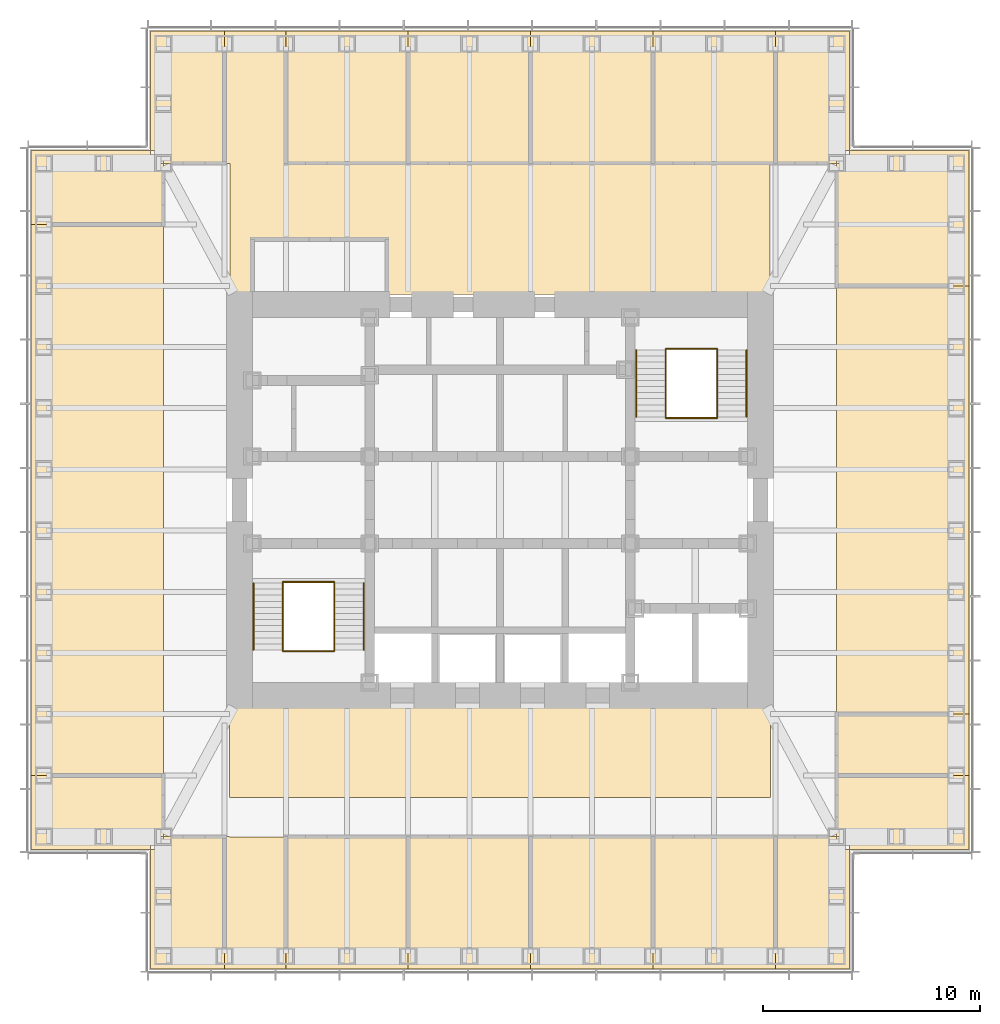
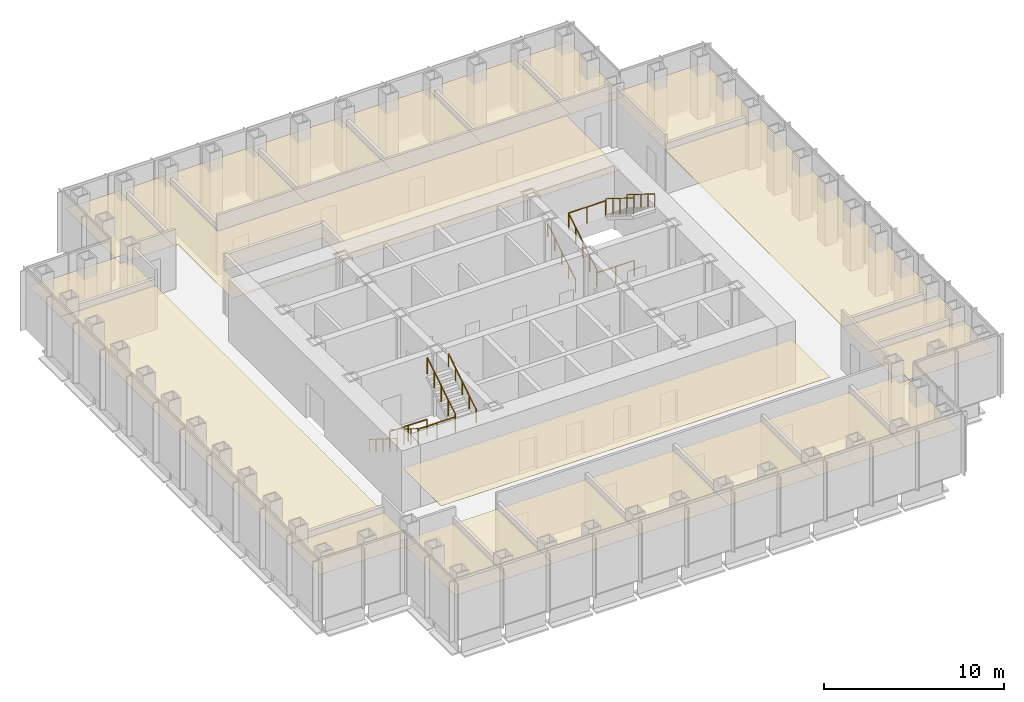
# One storey, part 16 of 16: 22 coverings, 12 railings.
"""IFC4 building model written with IfcOpenShell, lengths in metres."""

import ifcopenshell
import ifcopenshell.guid

model = None  # the IFC model being written
_history = None  # IfcOwnerHistory: only IFC2X3 demands one
_inside = {}  # id of a spatial element -> (the spatial element, [elements in it])
_under = {}  # id of a project, library or spatial element -> (it, [spatial elements below it])
_declared = {}  # id of a project -> (the project, [libraries it declares])
_typed = {}  # id of a type object -> (the type object, [elements of that type])
_made_of = {}  # id of a material, layer set ... -> (it, [elements and type objects made of it])


def new_model(schema):
    """Start an empty IFC model of exactly this schema.

    Asked for "IFC4X3", IfcOpenShell would pick the latest addendum, in which some entities
    have other attributes; the version numbers below select the first issue.
    IFC2X3 requires an IfcOwnerHistory on every rooted entity: one is made here for all.
    """
    global model, _history
    if schema == "IFC4X3":
        model = ifcopenshell.file(schema_version=(4, 3, 0, 0))
    else:
        model = ifcopenshell.file(schema=schema)
    _inside.clear()
    _under.clear()
    _declared.clear()
    _typed.clear()
    _made_of.clear()
    _history = None
    if model.schema == "IFC2X3":
        org = make("IfcOrganization", Name="unknown")
        user = make(
            "IfcPersonAndOrganization",
            ThePerson=make("IfcPerson", FamilyName="unknown"),
            TheOrganization=org,
        )
        app = make(
            "IfcApplication",
            ApplicationDeveloper=org,
            Version="unknown",
            ApplicationFullName="unknown",
            ApplicationIdentifier="unknown",
        )
        _history = make(
            "IfcOwnerHistory",
            OwningUser=user,
            OwningApplication=app,
            ChangeAction="ADDED",
            CreationDate=0,
        )
    return model


def make(cls, **values):
    """One entity of the class cls with the attributes given. An attribute that is None is left unset."""
    return model.create_entity(
        cls, **{name: value for name, value in values.items() if value is not None}
    )


def rooted(cls, **values):
    """An entity with a GlobalId (a new one), such as an element, a storey or a relation."""
    return make(cls, GlobalId=ifcopenshell.guid.new(), OwnerHistory=_history, **values)


def si_unit(unit_type, name, prefix=None):
    """IfcSIUnit, for example si_unit("LENGTHUNIT", "METRE", prefix="MILLI")."""
    return make("IfcSIUnit", UnitType=unit_type, Prefix=prefix, Name=name)


def assignment(units):
    """IfcUnitAssignment: the units of a project."""
    return None if units is None else make("IfcUnitAssignment", Units=units)


def point(xyz):
    """IfcCartesianPoint."""
    return None if xyz is None else make("IfcCartesianPoint", Coordinates=xyz)


def direction(xyz):
    """IfcDirection."""
    return None if xyz is None else make("IfcDirection", DirectionRatios=xyz)


def frame(location, z_axis=None, x_axis=None):
    """IfcAxis2Placement3D, a coordinate frame: its origin and axes. An axis left out is left unset."""
    return make(
        "IfcAxis2Placement3D",
        Location=point(location),
        Axis=direction(z_axis),
        RefDirection=direction(x_axis),
    )


def frame_2d(location, x_axis=None):
    """IfcAxis2Placement2D, a coordinate frame in the plane: its origin and x axis."""
    return make(
        "IfcAxis2Placement2D", Location=point(location), RefDirection=direction(x_axis)
    )


def origin():
    """The frame at (0, 0, 0) with its axes left unset."""
    return frame((0.0, 0.0, 0.0))


def origin_2d():
    """The frame at (0, 0) in the plane with its x axis left unset."""
    return frame_2d((0.0, 0.0))


def place(relative_to, where):
    """IfcLocalPlacement: puts the frame where relative to a parent placement (None: the world)."""
    return make(
        "IfcLocalPlacement", PlacementRelTo=relative_to, RelativePlacement=where
    )


def context(
    kind, dimensions, precision=None, world=None, true_north=None, identifier=None
):
    """IfcGeometricRepresentationContext, for example the 3D "Model" context."""
    return make(
        "IfcGeometricRepresentationContext",
        ContextIdentifier=identifier,
        ContextType=kind,
        CoordinateSpaceDimension=dimensions,
        Precision=precision,
        WorldCoordinateSystem=world,
        TrueNorth=true_north,
    )


def subcontext(parent, identifier, kind, view, scale=None):
    """IfcGeometricRepresentationSubContext, for example "Body" below "Model"."""
    return make(
        "IfcGeometricRepresentationSubContext",
        ContextIdentifier=identifier,
        ContextType=kind,
        ParentContext=parent,
        TargetScale=scale,
        TargetView=view,
    )


def project(units=None, contexts=None):
    """IfcProject with its units and contexts."""
    return rooted(
        "IfcProject",
        Name="project",
        RepresentationContexts=contexts,
        UnitsInContext=assignment(units),
    )


def spatial(cls, under=None, at=None, **own):
    """A site, building, storey or space (cls), placed at a placement, below another one or the project."""
    s = rooted(cls, ObjectPlacement=at, **own)
    if under is not None:
        _under.setdefault(under.id(), (under, []))[1].append(s)
    return s


def polyline(points):
    """IfcPolyline through the points."""
    return make("IfcPolyline", Points=[point(p) for p in points])


def profile(cls, at=None, kind="AREA", **sizes):
    """A parametric profile (cls). Its sizes go by their IFC names, for example OverallWidth=200.0."""
    return make(cls, ProfileType=kind, Position=at, **sizes)


def circle(**sizes):
    """IfcCircleProfileDef."""
    return profile("IfcCircleProfileDef", **sizes)


def outline(outer, holes=None, kind="AREA"):
    """IfcArbitraryClosedProfileDef: a profile drawn as a closed curve; with holes, ...WithVoids."""
    if holes is None:
        return make("IfcArbitraryClosedProfileDef", ProfileType=kind, OuterCurve=outer)
    return make(
        "IfcArbitraryProfileDefWithVoids",
        ProfileType=kind,
        OuterCurve=outer,
        InnerCurves=holes,
    )


def extrude(swept, where, along, depth):
    """IfcExtrudedAreaSolid: the profile swept, set in the frame where, extruded along a direction by depth."""
    return make(
        "IfcExtrudedAreaSolid",
        SweptArea=swept,
        Position=where,
        ExtrudedDirection=direction(along),
        Depth=depth,
    )


def shape(context_of_items, identifier, shape_type, items):
    """IfcShapeRepresentation: the items that make up one representation, for example the "Body"."""
    return make(
        "IfcShapeRepresentation",
        ContextOfItems=context_of_items,
        RepresentationIdentifier=identifier,
        RepresentationType=shape_type,
        Items=items,
    )


def material(Name=None, Category=None):
    """IfcMaterial."""
    return make("IfcMaterial", Name=Name, Category=Category)


def layer(
    of_material, thickness, ventilated=None, Name=None, Category=None, Priority=None
):
    """IfcMaterialLayer: one layer of a wall or slab, of a material (None: an air gap)."""
    return make(
        "IfcMaterialLayer",
        Material=of_material,
        LayerThickness=thickness,
        IsVentilated=ventilated,
        Name=Name,
        Category=Category,
        Priority=Priority,
    )


def layer_set(layers, Name=None):
    """IfcMaterialLayerSet."""
    return make("IfcMaterialLayerSet", MaterialLayers=layers, LayerSetName=Name)


def made_of(thing, what):
    """Note that an element or type object is made of a material, layer set ...; save() writes the relation."""
    if what is not None:
        _made_of.setdefault(what.id(), (what, []))[1].append(thing)
    return thing


def type_object(cls, material=None, **own):
    """A type object (cls), such as IfcWallType, which elements share."""
    return made_of(rooted(cls, **own), material)


def element(
    cls,
    number,
    at=None,
    inside=None,
    cuts=None,
    type_object=None,
    material=None,
    context=None,
    identifier="Body",
    shape_type=None,
    held_by="IfcProductDefinitionShape",
    body=None,
    shapes=None,
    **own,
):
    """One element of the class cls, such as IfcWall. Its Tag is "e" and its number.

    at: its placement. inside: the storey or other place that contains it. cuts: it is an
    opening in that element (IfcRelVoidsElement). A single representation is given by context,
    identifier, shape_type and body (its items); several are given by shapes. held_by: the class
    of the entity that holds the representations. save() writes the other relations.
    """
    e = rooted(cls, Tag="e%d" % number, ObjectPlacement=at, **own)
    if body is not None:
        shapes = [shape(context, identifier, shape_type, body)]
    if shapes is not None:
        e.Representation = make(held_by, Representations=shapes)
    if inside is not None:
        _inside.setdefault(inside.id(), (inside, []))[1].append(e)
    if cuts is not None:
        rooted(
            "IfcRelVoidsElement", RelatingBuildingElement=cuts, RelatedOpeningElement=e
        )
    if type_object is not None:
        _typed.setdefault(type_object.id(), (type_object, []))[1].append(e)
    return made_of(e, material)


def aggregate(whole, parts):
    """IfcRelAggregates: a whole, such as a stair, and the parts it consists of."""
    return rooted("IfcRelAggregates", RelatingObject=whole, RelatedObjects=parts)


def save(model, path):
    """Write the relations noted so far, then the file.

    IfcRelAggregates (storeys below a building ...), IfcRelContainedInSpatialStructure (elements
    in a storey), IfcRelDefinesByType, IfcRelAssociatesMaterial and IfcRelDeclares: one each for
    every whole, place, type object, material and project.
    """
    for whole, parts in _under.values():
        aggregate(whole, parts)
    for where, things in _inside.values():
        rooted(
            "IfcRelContainedInSpatialStructure",
            RelatedElements=things,
            RelatingStructure=where,
        )
    for kind, things in _typed.values():
        rooted("IfcRelDefinesByType", RelatedObjects=things, RelatingType=kind)
    for what, things in _made_of.values():
        rooted("IfcRelAssociatesMaterial", RelatedObjects=things, RelatingMaterial=what)
    for by, libraries in _declared.values():
        rooted("IfcRelDeclares", RelatingContext=by, RelatedDefinitions=libraries)
    model.write(path)


model = new_model("IFC4")

# Units and contexts
model_context = context("Model", 3, precision=1e-05, world=origin(), true_north=direction((0.0, 1.0)))
body_context = subcontext(model_context, "Body", "Model", "MODEL_VIEW")
ifc_project = project(units=[si_unit("LENGTHUNIT", "METRE"), si_unit("AREAUNIT", "SQUARE_METRE"), si_unit("VOLUMEUNIT", "CUBIC_METRE"), si_unit("PLANEANGLEUNIT", "RADIAN"), si_unit("MASSUNIT", "GRAM", prefix="KILO")], contexts=[model_context])

# Site, building, storey
site_placement = place(None, origin())
site = spatial("IfcSite", under=ifc_project, at=site_placement, CompositionType="ELEMENT")
building_placement = place(site_placement, origin())
building = spatial("IfcBuilding", under=site, at=building_placement, Name="Daluyong Arena Tower", CompositionType="ELEMENT")
storey_placement = place(building_placement, frame((0.0, 0.0, 219.10009765625)))
storey = spatial("IfcBuildingStorey", under=building, at=storey_placement, Name="L49", CompositionType="ELEMENT", Elevation=219.10009765625)

# Coverings
ifc_material_1 = material(Name="Mineral fibre ceiling tile", Category="gypsum board")
ifc_layer = layer(ifc_material_1, 0.02001953125)
ifc_layer_set = layer_set([ifc_layer], Name="Mineral fibre ceiling tile")
covering_type = type_object("IfcCoveringType", Name="Office ceiling", PredefinedType="CEILING", material=ifc_layer_set)
covering_1_placement = place(storey_placement, frame((0.0, 0.0, 2.89990234375)))
element("IfcCovering", 1, at=covering_1_placement, inside=storey, type_object=covering_type, Name="ceiling L49-01", PredefinedType="CEILING", context=body_context, shape_type="SweptSolid", body=[
    extrude(outline(polyline([(39.89990234375, 63.89990234375), (39.89990234375, 58.39990234375), (43.318115234375, 58.39990234375), (43.318115234375, 64.5), (40.5, 64.5), (40.5, 63.89990234375), (39.89990234375, 63.89990234375)])), origin(), (0.0, 0.0, 1.0), 0.02001953125),
])
covering_2_placement = place(storey_placement, frame((0.0, 0.0, 2.89990234375)))
element("IfcCovering", 2, at=covering_2_placement, inside=storey, type_object=covering_type, Name="ceiling L49-02", PredefinedType="CEILING", context=body_context, shape_type="SweptSolid", body=[
    extrude(outline(polyline([(46.136474609375, 64.5), (46.136474609375, 58.39990234375), (51.772705078125, 58.39990234375), (51.772705078125, 64.5), (46.136474609375, 64.5)])), origin(), (0.0, 0.0, 1.0), 0.02001953125),
])
covering_3_placement = place(storey_placement, frame((0.0, 0.0, 2.89990234375)))
element("IfcCovering", 3, at=covering_3_placement, inside=storey, type_object=covering_type, Name="ceiling L49-03", PredefinedType="CEILING", context=body_context, shape_type="SweptSolid", body=[
    extrude(outline(polyline([(51.772705078125, 64.5), (51.772705078125, 58.39990234375), (57.4091796875, 58.39990234375), (57.4091796875, 64.5), (51.772705078125, 64.5)])), origin(), (0.0, 0.0, 1.0), 0.02001953125),
])
covering_4_placement = place(storey_placement, frame((0.0, 0.0, 2.89990234375)))
element("IfcCovering", 4, at=covering_4_placement, inside=storey, type_object=covering_type, Name="ceiling L49-04", PredefinedType="CEILING", context=body_context, shape_type="SweptSolid", body=[
    extrude(outline(polyline([(57.4091796875, 64.5), (57.4091796875, 58.39990234375), (63.04541015625, 58.39990234375), (63.04541015625, 64.5), (57.4091796875, 64.5)])), origin(), (0.0, 0.0, 1.0), 0.02001953125),
])
covering_5_placement = place(storey_placement, frame((0.0, 0.0, 2.89990234375)))
element("IfcCovering", 5, at=covering_5_placement, inside=storey, type_object=covering_type, Name="ceiling L49-05", PredefinedType="CEILING", context=body_context, shape_type="SweptSolid", body=[
    extrude(outline(polyline([(63.04541015625, 64.5), (63.04541015625, 58.39990234375), (68.681884765625, 58.39990234375), (68.681884765625, 64.5), (63.04541015625, 64.5)])), origin(), (0.0, 0.0, 1.0), 0.02001953125),
])
covering_6_placement = place(storey_placement, frame((0.0, 0.0, 2.89990234375)))
element("IfcCovering", 6, at=covering_6_placement, inside=storey, type_object=covering_type, Name="ceiling L49-06", PredefinedType="CEILING", context=body_context, shape_type="SweptSolid", body=[
    extrude(outline(polyline([(72.10009765625, 58.39990234375), (72.10009765625, 63.89990234375), (71.5, 63.89990234375), (71.5, 64.5), (68.681884765625, 64.5), (68.681884765625, 58.39990234375), (72.10009765625, 58.39990234375)])), origin(), (0.0, 0.0, 1.0), 0.02001953125),
])
covering_7_placement = place(storey_placement, frame((0.0, 0.0, 2.89990234375)))
element("IfcCovering", 7, at=covering_7_placement, inside=storey, type_object=covering_type, Name="ceiling L49-07", PredefinedType="CEILING", context=body_context, shape_type="SweptSolid", body=[
    extrude(outline(polyline([(72.10009765625, 63.89990234375), (77.60009765625, 63.89990234375), (77.60009765625, 67.318115234375), (71.5, 67.318115234375), (71.5, 64.5), (72.10009765625, 64.5), (72.10009765625, 63.89990234375)])), origin(), (0.0, 0.0, 1.0), 0.02001953125),
])
covering_8_placement = place(storey_placement, frame((0.0, 0.0, 2.89990234375)))
element("IfcCovering", 8, at=covering_8_placement, inside=storey, type_object=covering_type, Name="ceiling L49-08", PredefinedType="CEILING", context=body_context, shape_type="SweptSolid", body=[
    extrude(outline(polyline([(71.5, 67.318115234375), (77.60009765625, 67.318115234375), (77.60009765625, 70.136474609375), (71.5, 70.136474609375), (71.5, 67.318115234375)])), origin(), (0.0, 0.0, 1.0), 0.02001953125),
])
covering_9_placement = place(storey_placement, frame((0.0, 0.0, 2.89990234375)))
element("IfcCovering", 9, at=covering_9_placement, inside=storey, type_object=covering_type, Name="ceiling L49-09", PredefinedType="CEILING", context=body_context, shape_type="SweptSolid", body=[
    extrude(outline(polyline([(71.5, 89.863525390625), (77.60009765625, 89.863525390625), (77.60009765625, 96.10009765625), (72.10009765625, 96.10009765625), (72.10009765625, 95.5), (71.5, 95.5), (71.5, 89.863525390625)])), origin(), (0.0, 0.0, 1.0), 0.02001953125),
])
covering_10_placement = place(storey_placement, frame((0.0, 0.0, 2.89990234375)))
element("IfcCovering", 10, at=covering_10_placement, inside=storey, type_object=covering_type, Name="ceiling L49-10", PredefinedType="CEILING", context=body_context, shape_type="SweptSolid", body=[
    extrude(outline(polyline([(43.318115234375, 95.5), (43.318115234375, 101.60009765625), (39.89990234375, 101.60009765625), (39.89990234375, 96.10009765625), (40.5, 96.10009765625), (40.5, 95.5), (43.318115234375, 95.5)])), origin(), (0.0, 0.0, 1.0), 0.02001953125),
])
covering_11_placement = place(storey_placement, frame((0.0, 0.0, 2.89990234375)))
element("IfcCovering", 11, at=covering_11_placement, inside=storey, type_object=covering_type, Name="ceiling L49-11", PredefinedType="CEILING", context=body_context, shape_type="SweptSolid", body=[
    extrude(outline(polyline([(51.772705078125, 95.5), (51.772705078125, 101.60009765625), (46.136474609375, 101.60009765625), (46.136474609375, 95.5), (51.772705078125, 95.5)])), origin(), (0.0, 0.0, 1.0), 0.02001953125),
])
covering_12_placement = place(storey_placement, frame((0.0, 0.0, 2.89990234375)))
element("IfcCovering", 12, at=covering_12_placement, inside=storey, type_object=covering_type, Name="ceiling L49-12", PredefinedType="CEILING", context=body_context, shape_type="SweptSolid", body=[
    extrude(outline(polyline([(57.4091796875, 95.5), (57.4091796875, 101.60009765625), (51.772705078125, 101.60009765625), (51.772705078125, 95.5), (57.4091796875, 95.5)])), origin(), (0.0, 0.0, 1.0), 0.02001953125),
])
covering_13_placement = place(storey_placement, frame((0.0, 0.0, 2.89990234375)))
element("IfcCovering", 13, at=covering_13_placement, inside=storey, type_object=covering_type, Name="ceiling L49-13", PredefinedType="CEILING", context=body_context, shape_type="SweptSolid", body=[
    extrude(outline(polyline([(63.04541015625, 95.5), (63.04541015625, 101.60009765625), (57.4091796875, 101.60009765625), (57.4091796875, 95.5), (63.04541015625, 95.5)])), origin(), (0.0, 0.0, 1.0), 0.02001953125),
])
covering_14_placement = place(storey_placement, frame((0.0, 0.0, 2.89990234375)))
element("IfcCovering", 14, at=covering_14_placement, inside=storey, type_object=covering_type, Name="ceiling L49-14", PredefinedType="CEILING", context=body_context, shape_type="SweptSolid", body=[
    extrude(outline(polyline([(68.681884765625, 95.5), (68.681884765625, 101.60009765625), (63.04541015625, 101.60009765625), (63.04541015625, 95.5), (68.681884765625, 95.5)])), origin(), (0.0, 0.0, 1.0), 0.02001953125),
])
covering_15_placement = place(storey_placement, frame((0.0, 0.0, 2.89990234375)))
element("IfcCovering", 15, at=covering_15_placement, inside=storey, type_object=covering_type, Name="ceiling L49-15", PredefinedType="CEILING", context=body_context, shape_type="SweptSolid", body=[
    extrude(outline(polyline([(68.681884765625, 95.5), (71.5, 95.5), (71.5, 96.10009765625), (72.10009765625, 96.10009765625), (72.10009765625, 101.60009765625), (68.681884765625, 101.60009765625), (68.681884765625, 95.5)])), origin(), (0.0, 0.0, 1.0), 0.02001953125),
])
covering_16_placement = place(storey_placement, frame((0.0, 0.0, 2.89990234375)))
element("IfcCovering", 16, at=covering_16_placement, inside=storey, type_object=covering_type, Name="ceiling L49-16", PredefinedType="CEILING", context=body_context, shape_type="SweptSolid", body=[
    extrude(outline(polyline([(34.39990234375, 63.89990234375), (39.89990234375, 63.89990234375), (39.89990234375, 64.5), (40.5, 64.5), (40.5, 67.318115234375), (34.39990234375, 67.318115234375), (34.39990234375, 63.89990234375)])), origin(), (0.0, 0.0, 1.0), 0.02001953125),
])
covering_17_placement = place(storey_placement, frame((0.0, 0.0, 2.89990234375)))
element("IfcCovering", 17, at=covering_17_placement, inside=storey, type_object=covering_type, Name="ceiling L49-17", PredefinedType="CEILING", context=body_context, shape_type="SweptSolid", body=[
    extrude(outline(polyline([(40.5, 92.681884765625), (40.5, 95.5), (39.89990234375, 95.5), (39.89990234375, 96.10009765625), (34.39990234375, 96.10009765625), (34.39990234375, 92.681884765625), (40.5, 92.681884765625)])), origin(), (0.0, 0.0, 1.0), 0.02001953125),
])
covering_18_placement = place(storey_placement, frame((0.0, 0.0, 2.89990234375)))
element("IfcCovering", 18, at=covering_18_placement, inside=storey, type_object=covering_type, Name="ceiling L49-22", PredefinedType="CEILING", context=body_context, shape_type="SweptSolid", body=[
    extrude(outline(polyline([(43.318115234375, 58.39990234375), (43.5498046875, 58.39990234375), (43.550537109375, 58.409912109375), (46.12646484375, 58.409912109375), (46.12646484375, 64.489990234375), (43.550537109375, 64.489990234375), (43.5498046875, 64.5), (43.318115234375, 64.5), (43.318115234375, 58.39990234375)])), origin(), (0.0, 0.0, 1.0), 0.02001953125),
])
covering_19_placement = place(storey_placement, frame((0.0, 0.0, 2.89990234375)))
element("IfcCovering", 19, at=covering_19_placement, inside=storey, type_object=covering_type, Name="ceiling L49-23", PredefinedType="CEILING", context=body_context, shape_type="SweptSolid", body=[
    extrude(outline(polyline([(68.449951171875, 70.550048828125), (43.550048828125, 70.550048828125), (43.550048828125, 66.300048828125), (68.449951171875, 66.300048828125), (68.449951171875, 70.550048828125)])), origin(), (0.0, 0.0, 1.0), 0.02001953125),
])
covering_20_placement = place(storey_placement, frame((0.0, 0.0, 2.89990234375)))
element("IfcCovering", 20, at=covering_20_placement, inside=storey, type_object=covering_type, Name="ceiling L49-24", PredefinedType="CEILING", context=body_context, shape_type="SweptSolid", body=[
    extrude(outline(polyline([(71.5, 70.136474609375), (77.60009765625, 70.136474609375), (77.60009765625, 89.863525390625), (71.5, 89.863525390625), (71.5, 70.136474609375)])), origin(), (0.0, 0.0, 1.0), 0.02001953125),
])
covering_21_placement = place(storey_placement, frame((0.0, 0.0, 2.89990234375)))
element("IfcCovering", 21, at=covering_21_placement, inside=storey, type_object=covering_type, Name="ceiling L49-25", PredefinedType="CEILING", context=body_context, shape_type="SweptSolid", body=[
    extrude(outline(polyline([(43.318115234375, 95.5), (43.56005859375, 95.5), (43.56005859375, 89.4599609375), (68.43994140625, 89.4599609375), (68.43994140625, 95.489990234375), (46.12646484375, 95.489990234375), (46.12646484375, 101.590087890625), (43.550537109375, 101.590087890625), (43.5498046875, 101.60009765625), (43.318115234375, 101.60009765625), (43.318115234375, 95.5)]), holes=[polyline([(50.81005859375, 92.010009765625), (50.81005859375, 89.590087890625), (44.590087890625, 89.590087890625), (44.590087890625, 92.010009765625), (50.81005859375, 92.010009765625)])]), origin(), (0.0, 0.0, 1.0), 0.02001953125),
])
covering_22_placement = place(storey_placement, frame((0.0, 0.0, 2.89990234375)))
element("IfcCovering", 22, at=covering_22_placement, inside=storey, type_object=covering_type, Name="ceiling L49-26", PredefinedType="CEILING", context=body_context, shape_type="SweptSolid", body=[
    extrude(outline(polyline([(34.39990234375, 92.681884765625), (34.39990234375, 67.318115234375), (40.5, 67.318115234375), (40.5, 92.681884765625), (34.39990234375, 92.681884765625)])), origin(), (0.0, 0.0, 1.0), 0.02001953125),
])

# Railings
ifc_material_2 = material(Name="Stainless steel handrail", Category="steel")
railing_type_1 = type_object("IfcRailingType", Name="Stair handrail", PredefinedType="HANDRAIL", material=ifc_material_2)
railing_1_placement = place(storey_placement, frame((44.64990234375, 76.175048828125, 0.1748046875)))
element("IfcRailing", 23, at=railing_1_placement, inside=storey, type_object=railing_type_1, Name="exit stair A handrail L49", PredefinedType="HANDRAIL", context=body_context, shape_type="SweptSolid", body=[
    extrude(circle(Radius=0.02392578125, at=origin_2d()), frame((0.0, 0.0, 0.8759765625), z_axis=(0.0, -0.847998304005, 0.529998940003), x_axis=(1.0, 0.0, 0.0)), (0.0, 0.0, 1.0), 3.632080078125),
    extrude(circle(Radius=0.02099609375, at=origin_2d()), origin(), (0.0, 0.0, 1.0), 0.851806640625),
    extrude(circle(Radius=0.02099609375, at=origin_2d()), frame((0.0, -0.77001953125, 0.481201171875)), (0.0, 0.0, 1.0), 0.851806640625),
    extrude(circle(Radius=0.02099609375, at=origin_2d()), frame((0.0, -1.5400390625, 0.96240234375)), (0.0, 0.0, 1.0), 0.851806640625),
    extrude(circle(Radius=0.02099609375, at=origin_2d()), frame((0.0, -2.31005859375, 1.44384765625)), (0.0, 0.0, 1.0), 0.851806640625),
    extrude(circle(Radius=0.02099609375, at=origin_2d()), frame((0.0, -3.080078125, 1.925048828125)), (0.0, 0.0, 1.0), 0.851806640625),
])
for number, where, name in (
    (24, (49.72509765625, 73.094970703125, 2.27490234375), "exit stair A handrail L49"),
    (25, (62.27490234375, 83.824951171875, 0.1748046875), "exit stair B handrail L49"),
):
    element("IfcRailing", number, at=place(storey_placement, frame(where)), inside=storey, type_object=railing_type_1, Name=name, PredefinedType="HANDRAIL", context=body_context, shape_type="SweptSolid", body=[
        extrude(circle(Radius=0.02392578125, at=origin_2d()), frame((0.0, 0.0, 0.8759765625), z_axis=(0.0, 0.847998304005, 0.529998940003), x_axis=(-1.0, 0.0, 0.0)), (0.0, 0.0, 1.0), 3.632080078125),
        extrude(circle(Radius=0.02099609375, at=origin_2d()), origin(), (0.0, 0.0, 1.0), 0.851806640625),
        extrude(circle(Radius=0.02099609375, at=origin_2d()), frame((0.0, 0.77001953125, 0.481201171875)), (0.0, 0.0, 1.0), 0.851806640625),
        extrude(circle(Radius=0.02099609375, at=origin_2d()), frame((0.0, 1.5400390625, 0.96240234375)), (0.0, 0.0, 1.0), 0.851806640625),
        extrude(circle(Radius=0.02099609375, at=origin_2d()), frame((0.0, 2.31005859375, 1.44384765625)), (0.0, 0.0, 1.0), 0.851806640625),
        extrude(circle(Radius=0.02099609375, at=origin_2d()), frame((0.0, 3.080078125, 1.925048828125)), (0.0, 0.0, 1.0), 0.851806640625),
    ])
railing_2_placement = place(storey_placement, frame((67.35009765625, 86.905029296875, 2.27490234375)))
element("IfcRailing", 26, at=railing_2_placement, inside=storey, type_object=railing_type_1, Name="exit stair B handrail L49", PredefinedType="HANDRAIL", context=body_context, shape_type="SweptSolid", body=[
    extrude(circle(Radius=0.02392578125, at=origin_2d()), frame((0.0, 0.0, 0.8759765625), z_axis=(0.0, -0.847998304005, 0.529998940003), x_axis=(1.0, 0.0, 0.0)), (0.0, 0.0, 1.0), 3.632080078125),
    extrude(circle(Radius=0.02099609375, at=origin_2d()), origin(), (0.0, 0.0, 1.0), 0.851806640625),
    extrude(circle(Radius=0.02099609375, at=origin_2d()), frame((0.0, -0.77001953125, 0.481201171875)), (0.0, 0.0, 1.0), 0.851806640625),
    extrude(circle(Radius=0.02099609375, at=origin_2d()), frame((0.0, -1.5400390625, 0.96240234375)), (0.0, 0.0, 1.0), 0.851806640625),
    extrude(circle(Radius=0.02099609375, at=origin_2d()), frame((0.0, -2.31005859375, 1.44384765625)), (0.0, 0.0, 1.0), 0.851806640625),
    extrude(circle(Radius=0.02099609375, at=origin_2d()), frame((0.0, -3.080078125, 1.925048828125)), (0.0, 0.0, 1.0), 0.851806640625),
])
ifc_material_3 = material(Name="Steel balustrade", Category="steel")
railing_type_2 = type_object("IfcRailingType", Name="Stair well guard 1100", PredefinedType="GUARDRAIL", material=ifc_material_3)
railing_3_placement = place(storey_placement, frame((46.0, 76.175048828125, 0.1748046875)))
element("IfcRailing", 27, at=railing_3_placement, inside=storey, type_object=railing_type_2, Name="exit stair A well guard L49", PredefinedType="GUARDRAIL", context=body_context, shape_type="SweptSolid", body=[
    extrude(circle(Radius=0.02392578125, at=origin_2d()), frame((0.0, 0.0, 1.076171875), z_axis=(0.0, -0.847998304005, 0.529998940003), x_axis=(1.0, 0.0, 0.0)), (0.0, 0.0, 1.0), 3.632080078125),
    extrude(circle(Radius=0.02099609375, at=origin_2d()), origin(), (0.0, 0.0, 1.0), 1.052001953125),
    extrude(circle(Radius=0.02099609375, at=origin_2d()), frame((0.0, -0.77001953125, 0.481201171875)), (0.0, 0.0, 1.0), 1.052001953125),
    extrude(circle(Radius=0.02099609375, at=origin_2d()), frame((0.0, -1.5400390625, 0.96240234375)), (0.0, 0.0, 1.0), 1.052001953125),
    extrude(circle(Radius=0.02099609375, at=origin_2d()), frame((0.0, -2.31005859375, 1.44384765625)), (0.0, 0.0, 1.0), 1.052001953125),
    extrude(circle(Radius=0.02099609375, at=origin_2d()), frame((0.0, -3.080078125, 1.925048828125)), (0.0, 0.0, 1.0), 1.052001953125),
])
railing_4_placement = place(storey_placement, frame((48.375, 73.094970703125, 2.27490234375)))
element("IfcRailing", 28, at=railing_4_placement, inside=storey, type_object=railing_type_2, Name="exit stair A well guard L49", PredefinedType="GUARDRAIL", context=body_context, shape_type="SweptSolid", body=[
    extrude(circle(Radius=0.02392578125, at=origin_2d()), frame((0.0, 0.0, 1.076171875), z_axis=(0.0, 0.847998304005, 0.529998940003), x_axis=(-1.0, 0.0, 0.0)), (0.0, 0.0, 1.0), 3.632080078125),
    extrude(circle(Radius=0.02099609375, at=origin_2d()), origin(), (0.0, 0.0, 1.0), 1.052001953125),
    extrude(circle(Radius=0.02099609375, at=origin_2d()), frame((0.0, 0.77001953125, 0.481201171875)), (0.0, 0.0, 1.0), 1.052001953125),
    extrude(circle(Radius=0.02099609375, at=origin_2d()), frame((0.0, 1.5400390625, 0.96240234375)), (0.0, 0.0, 1.0), 1.052001953125),
    extrude(circle(Radius=0.02099609375, at=origin_2d()), frame((0.0, 2.31005859375, 1.44384765625)), (0.0, 0.0, 1.0), 1.052001953125),
    extrude(circle(Radius=0.02099609375, at=origin_2d()), frame((0.0, 3.080078125, 1.925048828125)), (0.0, 0.0, 1.0), 1.052001953125),
])
for number, where, name in (
    (29, (46.0, 73.044921875, 2.099853515625), "exit stair A landing guard L49"),
    (30, (46.0, 76.22509765625, 0.0), "exit stair A floor landing guard L49"),
):
    element("IfcRailing", number, at=place(storey_placement, frame(where)), inside=storey, type_object=railing_type_2, Name=name, PredefinedType="GUARDRAIL", context=body_context, shape_type="SweptSolid", body=[
        extrude(circle(Radius=0.02392578125, at=origin_2d()), frame((0.0, 0.0, 1.076171875), z_axis=(1.0, 0.0, 0.0), x_axis=(0.0, 1.0, 0.0)), (0.0, 0.0, 1.0), 2.375),
        extrude(circle(Radius=0.02099609375, at=origin_2d()), origin(), (0.0, 0.0, 1.0), 1.052001953125),
        extrude(circle(Radius=0.02099609375, at=origin_2d()), frame((1.1875, 0.0, 0.0)), (0.0, 0.0, 1.0), 1.052001953125),
        extrude(circle(Radius=0.02099609375, at=origin_2d()), frame((2.375, 0.0, 0.0)), (0.0, 0.0, 1.0), 1.052001953125),
    ])
railing_5_placement = place(storey_placement, frame((63.625, 83.824951171875, 0.1748046875)))
element("IfcRailing", 31, at=railing_5_placement, inside=storey, type_object=railing_type_2, Name="exit stair B well guard L49", PredefinedType="GUARDRAIL", context=body_context, shape_type="SweptSolid", body=[
    extrude(circle(Radius=0.02392578125, at=origin_2d()), frame((0.0, 0.0, 1.076171875), z_axis=(0.0, 0.847998304005, 0.529998940003), x_axis=(-1.0, 0.0, 0.0)), (0.0, 0.0, 1.0), 3.632080078125),
    extrude(circle(Radius=0.02099609375, at=origin_2d()), origin(), (0.0, 0.0, 1.0), 1.052001953125),
    extrude(circle(Radius=0.02099609375, at=origin_2d()), frame((0.0, 0.77001953125, 0.481201171875)), (0.0, 0.0, 1.0), 1.052001953125),
    extrude(circle(Radius=0.02099609375, at=origin_2d()), frame((0.0, 1.5400390625, 0.96240234375)), (0.0, 0.0, 1.0), 1.052001953125),
    extrude(circle(Radius=0.02099609375, at=origin_2d()), frame((0.0, 2.31005859375, 1.44384765625)), (0.0, 0.0, 1.0), 1.052001953125),
    extrude(circle(Radius=0.02099609375, at=origin_2d()), frame((0.0, 3.080078125, 1.925048828125)), (0.0, 0.0, 1.0), 1.052001953125),
])
railing_6_placement = place(storey_placement, frame((66.0, 86.905029296875, 2.27490234375)))
element("IfcRailing", 32, at=railing_6_placement, inside=storey, type_object=railing_type_2, Name="exit stair B well guard L49", PredefinedType="GUARDRAIL", context=body_context, shape_type="SweptSolid", body=[
    extrude(circle(Radius=0.02392578125, at=origin_2d()), frame((0.0, 0.0, 1.076171875), z_axis=(0.0, -0.847998304005, 0.529998940003), x_axis=(1.0, 0.0, 0.0)), (0.0, 0.0, 1.0), 3.632080078125),
    extrude(circle(Radius=0.02099609375, at=origin_2d()), origin(), (0.0, 0.0, 1.0), 1.052001953125),
    extrude(circle(Radius=0.02099609375, at=origin_2d()), frame((0.0, -0.77001953125, 0.481201171875)), (0.0, 0.0, 1.0), 1.052001953125),
    extrude(circle(Radius=0.02099609375, at=origin_2d()), frame((0.0, -1.5400390625, 0.96240234375)), (0.0, 0.0, 1.0), 1.052001953125),
    extrude(circle(Radius=0.02099609375, at=origin_2d()), frame((0.0, -2.31005859375, 1.44384765625)), (0.0, 0.0, 1.0), 1.052001953125),
    extrude(circle(Radius=0.02099609375, at=origin_2d()), frame((0.0, -3.080078125, 1.925048828125)), (0.0, 0.0, 1.0), 1.052001953125),
])
for number, where, name in (
    (33, (63.625, 86.955078125, 2.099853515625), "exit stair B landing guard L49"),
    (34, (63.625, 83.77490234375, 0.0), "exit stair B floor landing guard L49"),
):
    element("IfcRailing", number, at=place(storey_placement, frame(where)), inside=storey, type_object=railing_type_2, Name=name, PredefinedType="GUARDRAIL", context=body_context, shape_type="SweptSolid", body=[
        extrude(circle(Radius=0.02392578125, at=origin_2d()), frame((0.0, 0.0, 1.076171875), z_axis=(1.0, 0.0, 0.0), x_axis=(0.0, 1.0, 0.0)), (0.0, 0.0, 1.0), 2.375),
        extrude(circle(Radius=0.02099609375, at=origin_2d()), origin(), (0.0, 0.0, 1.0), 1.052001953125),
        extrude(circle(Radius=0.02099609375, at=origin_2d()), frame((1.1875, 0.0, 0.0)), (0.0, 0.0, 1.0), 1.052001953125),
        extrude(circle(Radius=0.02099609375, at=origin_2d()), frame((2.375, 0.0, 0.0)), (0.0, 0.0, 1.0), 1.052001953125),
    ])

save(model, "model.ifc")
